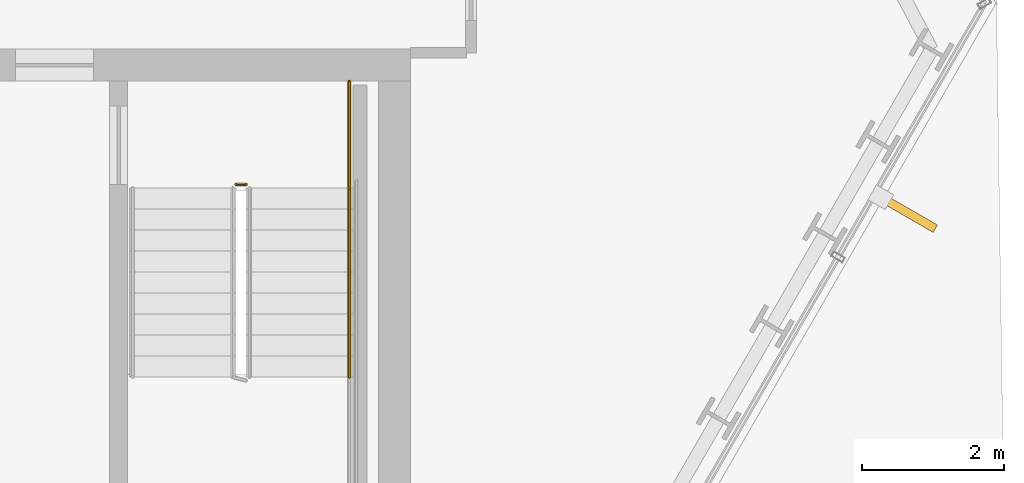
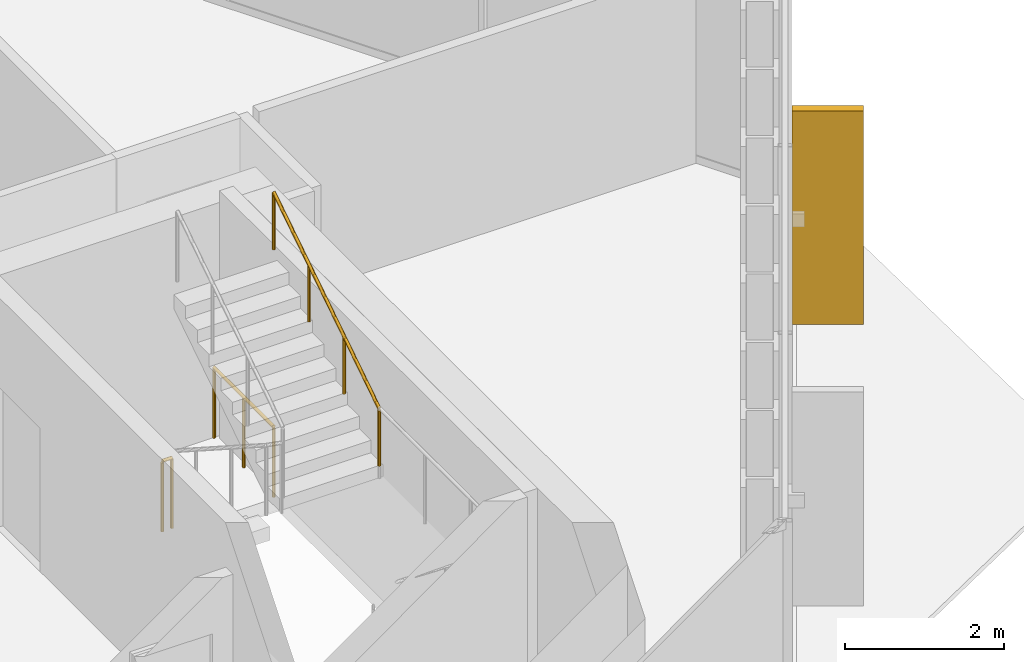
# One storey, part 35 of 36: 3 railings, 1 shading device.
"""IFC4 building model written with IfcOpenShell, lengths in metres."""

from ifc_helpers import new_model, si_unit, direction, frame, origin, origin_2d, place, context, subcontext, project, spatial, rectangle, circle, extrude, material, layer, layer_set, type_object, element, save


model = new_model("IFC4")

# Units and contexts
model_context = context("Model", 3, precision=1e-05, world=origin(), true_north=direction((0.0, 1.0)))
body_context = subcontext(model_context, "Body", "Model", "MODEL_VIEW")
ifc_project = project(units=[si_unit("LENGTHUNIT", "METRE"), si_unit("AREAUNIT", "SQUARE_METRE"), si_unit("VOLUMEUNIT", "CUBIC_METRE"), si_unit("PLANEANGLEUNIT", "RADIAN"), si_unit("MASSUNIT", "GRAM", prefix="KILO")], contexts=[model_context])

# Site, building, storey
site_placement = place(None, origin())
site = spatial("IfcSite", under=ifc_project, at=site_placement, CompositionType="ELEMENT")
building_placement = place(site_placement, origin())
building = spatial("IfcBuilding", under=site, at=building_placement, Name="Ndaravel Arena Tower", CompositionType="ELEMENT")
storey_placement = place(building_placement, frame((0.0, 0.0, 127.0)))
storey = spatial("IfcBuildingStorey", under=building, at=storey_placement, Name="L29", CompositionType="ELEMENT", Elevation=127.0)

# Railings
ifc_material_1 = material(Name="Steel S355", Category="steel")
ifc_layer_1 = layer(ifc_material_1, 0.06005859375)
ifc_layer_set_1 = layer_set([ifc_layer_1], Name="Steel S355")
railing_type_1 = type_object("IfcRailingType", Name="RAIL-STAIR-GD1100", PredefinedType="GUARDRAIL", material=ifc_layer_set_1)
railing_1_placement = place(storey_placement, frame((55.10009765625, 13.300048828125, 0.0)))
element("IfcRailing", 1, at=railing_1_placement, inside=storey, type_object=railing_type_1, Name="L29 ST-3 stair guard 4", PredefinedType="GUARDRAIL", context=body_context, shape_type="SweptSolid", body=[
    extrude(circle(Radius=0.02392578125, at=origin_2d()), frame((0.0, 0.0, 1.076171875), z_axis=(1.0, 0.0, 0.0), x_axis=(0.0, 1.0, 0.0)), (0.0, 0.0, 1.0), 0.139892578125),
    extrude(circle(Radius=0.02099609375, at=origin_2d()), origin(), (0.0, 0.0, 1.0), 1.052001953125),
    extrude(circle(Radius=0.02099609375, at=origin_2d()), frame((0.139892578125, 0.0, 0.0)), (0.0, 0.0, 1.0), 1.052001953125),
])
railing_2_placement = place(storey_placement, frame((56.68994140625, 14.75, 0.0)))
element("IfcRailing", 2, at=railing_2_placement, inside=storey, type_object=railing_type_1, Name="L29 ST-3 stair guard 5", PredefinedType="GUARDRAIL", context=body_context, shape_type="SweptSolid", body=[
    extrude(circle(Radius=0.02392578125, at=origin_2d()), frame((0.0, 0.0, 1.076171875), z_axis=(0.0, -1.0, 0.0), x_axis=(1.0, 0.0, 0.0)), (0.0, 0.0, 1.0), 1.5),
    extrude(circle(Radius=0.02099609375, at=origin_2d()), origin(), (0.0, 0.0, 1.0), 1.052001953125),
    extrude(circle(Radius=0.02099609375, at=origin_2d()), frame((0.0, -0.75, 0.0)), (0.0, 0.0, 1.0), 1.052001953125),
    extrude(circle(Radius=0.02099609375, at=origin_2d()), frame((0.0, -1.5, 0.0)), (0.0, 0.0, 1.0), 1.052001953125),
])
ifc_material_2 = material(Name="Steel S355", Category="steel")
ifc_layer_2 = layer(ifc_material_2, 0.050048828125)
ifc_layer_set_2 = layer_set([ifc_layer_2], Name="Steel S355")
railing_type_2 = type_object("IfcRailingType", Name="RAIL-STAIR-HR920", PredefinedType="HANDRAIL", material=ifc_layer_set_2)
railing_3_placement = place(storey_placement, frame((56.68994140625, 10.594970703125, 2.090087890625)))
element("IfcRailing", 3, at=railing_3_placement, inside=storey, type_object=railing_type_2, Name="L29 ST-3 stair handrail 2", PredefinedType="HANDRAIL", context=body_context, shape_type="SweptSolid", body=[
    extrude(circle(Radius=0.02392578125, at=origin_2d()), frame((0.0, 0.0, 0.8759765625), z_axis=(0.0, 0.840723540582, 0.54146461409), x_axis=(-1.0, 0.0, 0.0)), (0.0, 0.0, 1.0), 3.157958984375),
    extrude(circle(Radius=0.02099609375, at=origin_2d()), origin(), (0.0, 0.0, 1.0), 0.851806640625),
    extrude(circle(Radius=0.02099609375, at=origin_2d()), frame((0.0, 0.885009765625, 0.570068359375)), (0.0, 0.0, 1.0), 0.851806640625),
    extrude(circle(Radius=0.02099609375, at=origin_2d()), frame((0.0, 1.77001953125, 1.139892578125)), (0.0, 0.0, 1.0), 0.851806640625),
    extrude(circle(Radius=0.02099609375, at=origin_2d()), frame((0.0, 2.655029296875, 1.7099609375)), (0.0, 0.0, 1.0), 0.851806640625),
])

# Shading device
ifc_material_3 = material(Name="Masonry", Category="masonry")
shading_device_type = type_object("IfcShadingDeviceType", Name="SHD-MAZERAS-FIN", PredefinedType="SHUTTER", material=ifc_material_3)
shading_device_placement = place(storey_placement, frame((64.531982421875, 12.90380859375, 0.14990234375), z_axis=(0.0, 0.0, 1.0), x_axis=(0.866025403784, -0.5, 0.0)))
element("IfcShadingDevice", 4, at=shading_device_placement, inside=storey, type_object=shading_device_type, Name="L29 Mazeras Stone Solar Fin E2.2", PredefinedType="SHUTTER", context=body_context, shape_type="SweptSolid", body=[
    extrude(rectangle(XDim=0.89990234375, YDim=0.1201171875, at=origin_2d()), origin(), (0.0, 0.0, 1.0), 3.280029296875),
])

save(model, "model.ifc")
